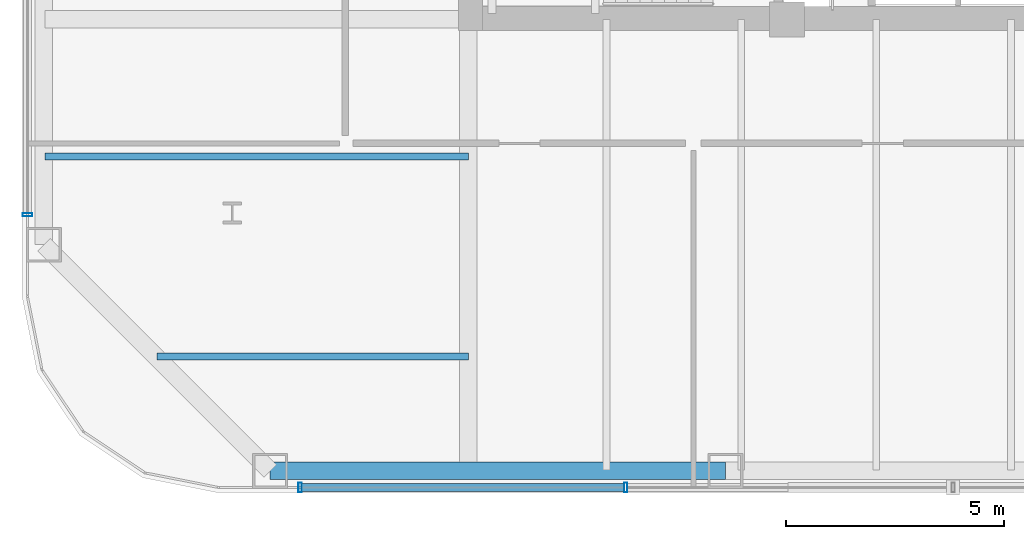
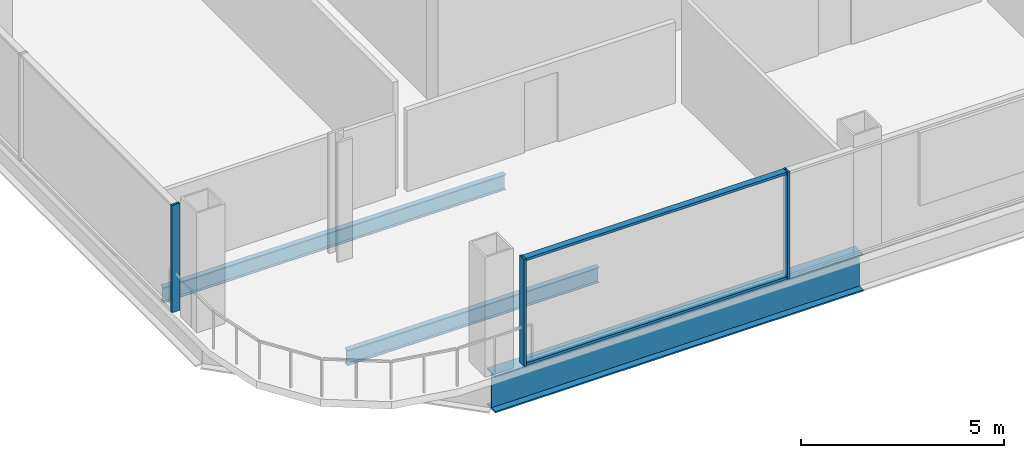
# One storey, part 2 of 24: 5 members, 3 beams, 2 elements without a shape of their own.
"""IFC4 building model written with IfcOpenShell, lengths in metres."""

from ifc_helpers import new_model, si_unit, direction, frame, origin, origin_2d, place, context, subcontext, project, spatial, hollow_rectangle, i_section, extrude, material, layer, layer_set, material_profile, profile_set, type_object, element, aggregate, save


model = new_model("IFC4")

# Units and contexts
model_context = context("Model", 3, precision=1e-05, world=origin(), true_north=direction((0.0, 1.0)))
body_context = subcontext(model_context, "Body", "Model", "MODEL_VIEW")
ifc_project = project(units=[si_unit("LENGTHUNIT", "METRE"), si_unit("AREAUNIT", "SQUARE_METRE"), si_unit("VOLUMEUNIT", "CUBIC_METRE"), si_unit("PLANEANGLEUNIT", "RADIAN"), si_unit("MASSUNIT", "GRAM", prefix="KILO")], contexts=[model_context])

# Site, building, storey
site_placement = place(None, origin())
site = spatial("IfcSite", under=ifc_project, at=site_placement, CompositionType="ELEMENT")
building_placement = place(site_placement, origin())
building = spatial("IfcBuilding", under=site, at=building_placement, Name="Qhalaya Broadcast Tower", CompositionType="ELEMENT")
storey_placement = place(building_placement, frame((0.0, 0.0, 61.5)))
storey = spatial("IfcBuildingStorey", under=building, at=storey_placement, Name="L17", CompositionType="ELEMENT", Elevation=61.5)

# Beams
ifc_material_1 = material(Name="Structural Steel ASTM A992 Grade 50", Category="steel")
ifc_material_profile_1 = material_profile(ifc_material_1, i_section(OverallWidth=0.154052734375, OverallDepth=0.458984375, WebThickness=0.009033203125, FlangeThickness=0.015380859375, at=origin_2d()), Name="W18X46")
ifc_profile_set_1 = profile_set([ifc_material_profile_1], Name="Structural Steel ASTM A992 Grade 50")
beam_type_1 = type_object("IfcBeamType", Name="Composite Floor Joist J04", PredefinedType="JOIST", material=ifc_profile_set_1)
beam_1_placement = place(storey_placement, frame((-16.53173828125, -16.5, -0.449462890625), z_axis=(1.0, 0.0, 0.0), x_axis=(0.0, 1.0, 0.0)))
element("IfcBeam", 1, at=beam_1_placement, inside=storey, type_object=beam_type_1, Name="L17 J04 L17-JWE1W-1", PredefinedType="JOIST", context=body_context, shape_type="SweptSolid", body=[
    extrude(i_section(OverallWidth=0.154052734375, OverallDepth=0.458984375, WebThickness=0.009033203125, FlangeThickness=0.015380859375, at=origin_2d()), origin(), (0.0, 0.0, 1.0), 7.15673828125),
])
beam_2_placement = place(storey_placement, frame((-19.110107421875, -11.89990234375, -0.449462890625), z_axis=(1.0, 0.0, 0.0), x_axis=(0.0, 1.0, 0.0)))
element("IfcBeam", 2, at=beam_2_placement, inside=storey, type_object=beam_type_1, Name="L17 J04 L17-JWE2W-1", PredefinedType="JOIST", context=body_context, shape_type="SweptSolid", body=[
    extrude(i_section(OverallWidth=0.154052734375, OverallDepth=0.458984375, WebThickness=0.009033203125, FlangeThickness=0.015380859375, at=origin_2d()), origin(), (0.0, 0.0, 1.0), 9.735107421875),
])
ifc_material_profile_2 = material_profile(ifc_material_1, i_section(OverallWidth=0.404052734375, OverallDepth=1.117919921875, WebThickness=0.026123046875, FlangeThickness=0.044921875, at=origin_2d()), Name="W44X335")
ifc_profile_set_2 = profile_set([ifc_material_profile_2], Name="Structural Steel ASTM A992 Grade 50")
beam_type_2 = type_object("IfcBeamType", Name="Podium Long-Span Primary Girder PG1", PredefinedType="USERDEFINED", material=ifc_profile_set_2)
beam_3_placement = place(storey_placement, frame((-13.929931640625, -19.1298828125, -0.779052734375), z_axis=(1.0, 0.0, 0.0), x_axis=(0.0, 1.0, 0.0)))
element("IfcBeam", 3, at=beam_3_placement, inside=storey, type_object=beam_type_2, Name="L17 PG1 L17-SPR-01", ObjectType="GIRDER", PredefinedType="USERDEFINED", context=body_context, shape_type="SweptSolid", body=[
    extrude(i_section(OverallWidth=0.404052734375, OverallDepth=1.117919921875, WebThickness=0.026123046875, FlangeThickness=0.044921875, at=origin_2d()), origin(), (0.0, 0.0, 1.0), 10.466552734375),
])

# Curtain wall, members
ifc_material_2 = material(Name="Solar-Control Low-E Triple Glazing", Category="glass")
ifc_layer = layer(ifc_material_2, 0.219970703125, Name="Solar-Control Low-E Triple Glazing")
ifc_layer_set = layer_set([ifc_layer], Name="Solar-Control Low-E Triple Glazing")
curtain_wall_type = type_object("IfcCurtainWallType", Name="Recessed Sky-Garden Neck Ribbon Curtain Wall CW-05", PredefinedType="NOTDEFINED", material=ifc_layer_set)
curtain_wall_1_placement = place(storey_placement, origin())
curtain_wall_1 = element("IfcCurtainWall", 4, at=curtain_wall_1_placement, inside=storey, type_object=curtain_wall_type, Name="L17 Unitised Curtain Wall L17-CW-S", PredefinedType="NOTDEFINED")
ifc_material_3 = material(Name="Anodised Aluminium 6063-T6", Category="aluminium")
ifc_material_profile_3 = material_profile(ifc_material_3, hollow_rectangle(XDim=0.074951171875, YDim=0.219970703125, WallThickness=0.00390625, at=origin_2d()), Name="ALU-MUL 75x220x4")
ifc_profile_set_3 = profile_set([ifc_material_profile_3], Name="Anodised Aluminium 6063-T6")
member_type_1 = type_object("IfcMemberType", Name="Unitised Curtain-Wall Mullion M01", PredefinedType="MULLION", material=ifc_profile_set_3)
member_1_placement = place(storey_placement, frame((-13.242431640625, -19.510009765625, 0.0), z_axis=(0.0, 0.0, 1.0), x_axis=(1.0, 0.0, 0.0)))
member_1 = element("IfcMember", 5, at=member_1_placement, type_object=member_type_1, Name="CW-05 mullion 1", PredefinedType="MULLION", context=body_context, shape_type="SweptSolid", body=[
    extrude(hollow_rectangle(XDim=0.074951171875, YDim=0.219970703125, WallThickness=0.00390625, at=origin_2d()), origin(), (0.0, 0.0, 1.0), 3.219970703125),
])
member_2_placement = place(storey_placement, frame((-5.7548828125, -19.510009765625, 0.0), z_axis=(0.0, 0.0, 1.0), x_axis=(1.0, 0.0, 0.0)))
member_2 = element("IfcMember", 6, at=member_2_placement, type_object=member_type_1, Name="CW-05 mullion 2", PredefinedType="MULLION", context=body_context, shape_type="SweptSolid", body=[
    extrude(hollow_rectangle(XDim=0.074951171875, YDim=0.219970703125, WallThickness=0.00390625, at=origin_2d()), origin(), (0.0, 0.0, 1.0), 3.219970703125),
])

# Curtain wall, member
curtain_wall_2_placement = place(storey_placement, origin())
curtain_wall_2 = element("IfcCurtainWall", 7, at=curtain_wall_2_placement, inside=storey, type_object=curtain_wall_type, Name="L17 Unitised Curtain Wall L17-CW-W", PredefinedType="NOTDEFINED")
member_3_placement = place(storey_placement, frame((-19.510009765625, -13.242431640625, 0.0), z_axis=(0.0, 0.0, 1.0), x_axis=(0.0, -1.0, 0.0)))
member_3 = element("IfcMember", 8, at=member_3_placement, type_object=member_type_1, Name="CW-05 mullion 5", PredefinedType="MULLION", context=body_context, shape_type="SweptSolid", body=[
    extrude(hollow_rectangle(XDim=0.074951171875, YDim=0.219970703125, WallThickness=0.00390625, at=origin_2d()), origin(), (0.0, 0.0, 1.0), 3.219970703125),
])
aggregate(curtain_wall_2, [member_3])

# Member
ifc_material_profile_4 = material_profile(ifc_material_3, hollow_rectangle(XDim=0.074951171875, YDim=0.179931640625, WallThickness=0.00390625, at=origin_2d()), Name="ALU-TRN 75x180x4")
ifc_profile_set_4 = profile_set([ifc_material_profile_4], Name="Anodised Aluminium 6063-T6")
member_type_2 = type_object("IfcMemberType", Name="Unitised Curtain-Wall Transom T01", PredefinedType="USERDEFINED", material=ifc_profile_set_4)
member_4_placement = place(storey_placement, frame((-13.205078125, -19.510009765625, 0.03759765625), z_axis=(1.0, 0.0, 0.0), x_axis=(0.0, 0.0, 1.0)))
member_4 = element("IfcMember", 9, at=member_4_placement, type_object=member_type_2, Name="CW-05 transom 1.1", ObjectType="TRANSOM", PredefinedType="USERDEFINED", context=body_context, shape_type="SweptSolid", body=[
    extrude(hollow_rectangle(XDim=0.074951171875, YDim=0.179931640625, WallThickness=0.00390625, at=origin_2d()), origin(), (0.0, 0.0, 1.0), 7.41259765625),
])

member_5_placement = place(storey_placement, frame((-13.205078125, -19.510009765625, 3.1826171875), z_axis=(1.0, 0.0, 0.0), x_axis=(0.0, 0.0, 1.0)))
member_5 = element("IfcMember", 10, at=member_5_placement, type_object=member_type_2, Name="CW-05 transom 1.2", ObjectType="TRANSOM", PredefinedType="USERDEFINED", context=body_context, shape_type="SweptSolid", body=[
    extrude(hollow_rectangle(XDim=0.074951171875, YDim=0.179931640625, WallThickness=0.00390625, at=origin_2d()), origin(), (0.0, 0.0, 1.0), 7.41259765625),
])

aggregate(curtain_wall_1, [member_1, member_2, member_4, member_5])

save(model, "model.ifc")
